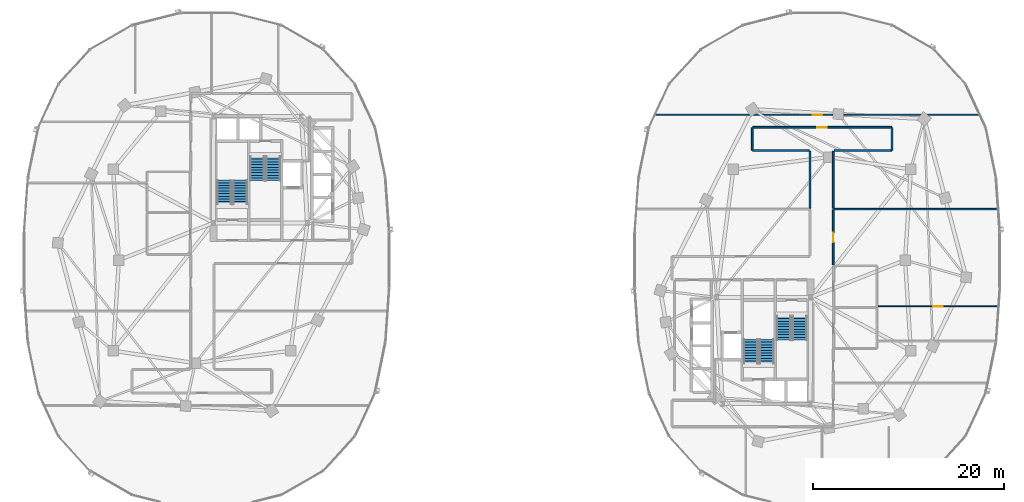
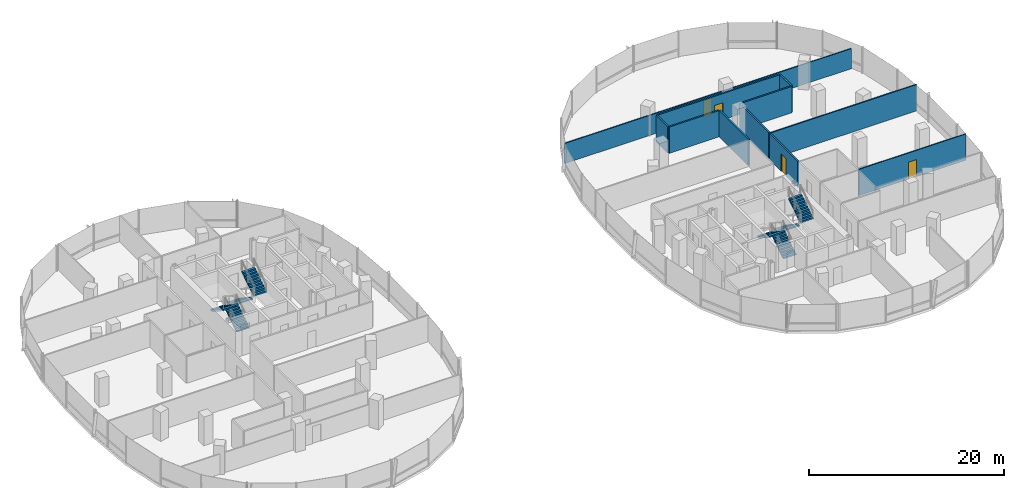
# One storey, part 14 of 21: 11 walls, 8 stair flights, 4 doors, 4 openings, 4 elements without a shape of their own.
"""IFC4 building model written with IfcOpenShell, lengths in metres."""

from ifc_helpers import new_model, si_unit, direction, frame, frame_2d, origin, place, context, subcontext, project, spatial, polyline, rectangle, outline, extrude, material, layer, layer_set, type_object, element, fill, aggregate, save


model = new_model("IFC4")

# Units and contexts
model_context = context("Model", 3, precision=1e-05, world=origin(), true_north=direction((0.0, 1.0)))
body_context = subcontext(model_context, "Body", "Model", "MODEL_VIEW")
ifc_project = project(units=[si_unit("LENGTHUNIT", "METRE"), si_unit("AREAUNIT", "SQUARE_METRE"), si_unit("VOLUMEUNIT", "CUBIC_METRE"), si_unit("PLANEANGLEUNIT", "RADIAN"), si_unit("MASSUNIT", "GRAM", prefix="KILO"), si_unit("THERMODYNAMICTEMPERATUREUNIT", "KELVIN"), si_unit("POWERUNIT", "WATT")], contexts=[model_context])

# Site, building, storey
site_placement = place(None, origin())
site = spatial("IfcSite", under=ifc_project, at=site_placement, CompositionType="ELEMENT")
building_placement = place(site_placement, origin())
building = spatial("IfcBuilding", under=site, at=building_placement, Name="Cundina Bronze Exchange", CompositionType="ELEMENT")
storey_placement = place(building_placement, frame((0.0, 0.0, 121.39990234375)))
storey = spatial("IfcBuildingStorey", under=building, at=storey_placement, Name="L31", CompositionType="ELEMENT", Elevation=121.39990234375)

# Wall, opening, door
ifc_material_1 = material(Name="Gypsum Fireboard Partition EI120")
ifc_layer_1 = layer(ifc_material_1, 0.179931640625, Name="Gypsum Fireboard Partition EI120")
ifc_layer_set_1 = layer_set([ifc_layer_1], Name="Gypsum Fireboard Partition EI120")
wall_type_1 = type_object("IfcWallType", Name="WL-COR-180", PredefinedType="PARTITIONING", material=ifc_layer_set_1)
wall_1_placement = place(storey_placement, frame((33.669921875, -0.508544921875, 0.0), z_axis=(0.0, 0.0, 1.0), x_axis=(0.0, 1.0, 0.0)))
wall_1 = element("IfcWall", 1, at=wall_1_placement, inside=storey, type_object=wall_type_1, Name="L31 Interior Partition 070", PredefinedType="PARTITIONING", context=body_context, shape_type="SweptSolid", body=[
    extrude(rectangle(XDim=5.7685546875, YDim=0.179931640625, at=frame_2d((2.88427734375, 0.0))), origin(), (0.0, 0.0, 1.0), 3.300048828125),
])
opening_1_placement = place(wall_1_placement, frame((2.38427734375, 0.0, 0.0)))
opening_1 = element("IfcOpeningElement", 2, at=opening_1_placement, cuts=wall_1, Name="Opening DO-01", PredefinedType="OPENING", context=body_context, shape_type="SweptSolid", body=[
    extrude(rectangle(XDim=1.0, YDim=2.14990234375, at=frame_2d((0.5, 1.074951171875))), frame((0.0, 0.099853515625, 0.0), z_axis=(0.0, -1.0, 0.0), x_axis=(1.0, 0.0, 0.0)), (0.0, 0.0, 1.0), 0.199951171875),
])
ifc_material_2 = material(Name="Solid Andean Oak Timber Grade A", Category="wood")
door_type = type_object("IfcDoorType", Name="DR-OFF-1000", OperationType="NOTDEFINED", PredefinedType="DOOR", material=ifc_material_2)
door_1_placement = place(opening_1_placement, origin())
door_1 = element("IfcDoor", 3, at=door_1_placement, inside=storey, type_object=door_type, Name="L31 Interior Door 070", OperationType="SINGLE_SWING_RIGHT", OverallHeight=2.14990234375, OverallWidth=1.0, PredefinedType="DOOR", context=body_context, shape_type="SweptSolid", body=[
    extrude(rectangle(XDim=1.0, YDim=2.14990234375, at=frame_2d((0.5, 1.074951171875))), frame((0.0, 0.02490234375, 0.0), z_axis=(0.0, -1.0, 0.0), x_axis=(1.0, 0.0, 0.0)), (0.0, 0.0, 1.0), 0.050048828125),
])
fill(opening_1, door_1)

wall_2_placement = place(storey_placement, frame((39.778564453125, 13.919921875, 0.0), z_axis=(0.0, 0.0, 1.0), x_axis=(-1.0, 0.0, 0.0)))
wall_2 = element("IfcWall", 4, at=wall_2_placement, inside=storey, type_object=wall_type_1, Name="L31 Interior Partition 071", PredefinedType="PARTITIONING", context=body_context, shape_type="SweptSolid", body=[
    extrude(rectangle(XDim=14.55712890625, YDim=0.179931640625, at=frame_2d((7.278564453125, 0.0))), origin(), (0.0, 0.0, 1.0), 3.300048828125),
])
opening_2_placement = place(wall_2_placement, frame((6.778564453125, 0.0, 0.0)))
opening_2 = element("IfcOpeningElement", 5, at=opening_2_placement, cuts=wall_2, Name="Opening DO-01", PredefinedType="OPENING", context=body_context, shape_type="SweptSolid", body=[
    extrude(rectangle(XDim=1.0, YDim=2.14990234375, at=frame_2d((0.5, 1.074951171875))), frame((0.0, 0.099853515625, 0.0), z_axis=(0.0, -1.0, 0.0), x_axis=(1.0, 0.0, 0.0)), (0.0, 0.0, 1.0), 0.199951171875),
])
door_2_placement = place(opening_2_placement, origin())
door_2 = element("IfcDoor", 6, at=door_2_placement, inside=storey, type_object=door_type, Name="L31 Interior Door 071", OperationType="SINGLE_SWING_LEFT", OverallHeight=2.14990234375, OverallWidth=1.0, PredefinedType="DOOR", context=body_context, shape_type="SweptSolid", body=[
    extrude(rectangle(XDim=1.0, YDim=2.14990234375, at=frame_2d((0.5, 1.074951171875))), frame((0.0, 0.02490234375, 0.0), z_axis=(0.0, -1.0, 0.0), x_axis=(1.0, 0.0, 0.0)), (0.0, 0.0, 1.0), 0.050048828125),
])
fill(opening_2, door_2)

# Walls
wall_3_placement = place(storey_placement, frame((33.75, 11.47998046875, 0.0), z_axis=(0.0, 0.0, 1.0), x_axis=(1.0, 0.0, 0.0)))
element("IfcWall", 7, at=wall_3_placement, inside=storey, type_object=wall_type_1, Name="L31 Interior Partition 072", PredefinedType="PARTITIONING", context=body_context, shape_type="SweptSolid", body=[
    extrude(rectangle(XDim=6.028564453125, YDim=0.179931640625, at=frame_2d((3.01416015625, 0.0))), origin(), (0.0, 0.0, 1.0), 3.300048828125),
])
for number, where, z_axis, x_axis, name in (
    (8, (33.669921875, 5.43994140625, 0.0), (0.0, 0.0, 1.0), (0.0, 1.0, 0.0), "L31 Interior Partition 073"),
    (9, (31.22998046875, 11.39990234375, 0.0), (0.0, 0.0, 1.0), (0.0, -1.0, 0.0), "L31 Interior Partition 074"),
):
    element("IfcWall", number, at=place(storey_placement, frame(where, z_axis=z_axis, x_axis=x_axis)), inside=storey, type_object=wall_type_1, Name=name, PredefinedType="PARTITIONING", context=body_context, shape_type="SweptSolid", body=[
        extrude(rectangle(XDim=5.9599609375, YDim=0.179931640625, at=frame_2d((2.97998046875, 0.0))), origin(), (0.0, 0.0, 1.0), 3.300048828125),
    ])
wall_4_placement = place(storey_placement, frame((25.221435546875, 11.47998046875, 0.0), z_axis=(0.0, 0.0, 1.0), x_axis=(1.0, 0.0, 0.0)))
element("IfcWall", 10, at=wall_4_placement, inside=storey, type_object=wall_type_1, Name="L31 Interior Partition 075", PredefinedType="PARTITIONING", context=body_context, shape_type="SweptSolid", body=[
    extrude(rectangle(XDim=5.928466796875, YDim=0.179931640625, at=frame_2d((2.96435546875, 0.0))), origin(), (0.0, 0.0, 1.0), 3.300048828125),
])
for number, where, z_axis, x_axis, name in (
    (11, (39.820068359375, 11.521484375, 0.0), (0.0, 0.0, 1.0), (0.0, 1.0, 0.0), "L31 Interior Partition 076"),
    (12, (25.179931640625, 13.87841796875, 0.0), (0.0, 0.0, 1.0), (0.0, -1.0, 0.0), "L31 Interior Partition 077"),
):
    element("IfcWall", number, at=place(storey_placement, frame(where, z_axis=z_axis, x_axis=x_axis)), inside=storey, type_object=wall_type_1, Name=name, PredefinedType="PARTITIONING", context=body_context, shape_type="SweptSolid", body=[
        extrude(rectangle(XDim=2.35693359375, YDim=0.179931640625, at=frame_2d((1.178466796875, 0.0))), origin(), (0.0, 0.0, 1.0), 3.300048828125),
    ])

# Wall, opening, door
ifc_material_3 = material(Name="Gypsum Acoustic Partition EI60")
ifc_layer_2 = layer(ifc_material_3, 0.125, Name="Gypsum Acoustic Partition EI60")
ifc_layer_set_2 = layer_set([ifc_layer_2], Name="Gypsum Acoustic Partition EI60")
wall_type_2 = type_object("IfcWallType", Name="WL-OFF-125", PredefinedType="PARTITIONING", material=ifc_layer_set_2)
wall_5_placement = place(storey_placement, frame((38.29150390625, -4.85009765625, 0.0), z_axis=(0.0, 0.0, 1.0), x_axis=(1.0, 0.0, 0.0)))
wall_5 = element("IfcWall", 13, at=wall_5_placement, inside=storey, type_object=wall_type_2, Name="L31 Interior Partition 078", PredefinedType="PARTITIONING", context=body_context, shape_type="SweptSolid", body=[
    extrude(rectangle(XDim=12.722900390625, YDim=0.125, at=frame_2d((6.361328125, 0.0))), origin(), (0.0, 0.0, 1.0), 3.300048828125),
])
opening_3_placement = place(wall_5_placement, frame((5.861328125, 0.0, 0.0)))
opening_3 = element("IfcOpeningElement", 14, at=opening_3_placement, cuts=wall_5, Name="Opening DO-01", PredefinedType="OPENING", context=body_context, shape_type="SweptSolid", body=[
    extrude(rectangle(XDim=1.0, YDim=2.14990234375, at=frame_2d((0.5, 1.074951171875))), frame((0.0, 0.072509765625, 0.0), z_axis=(0.0, -1.0, 0.0), x_axis=(1.0, 0.0, 0.0)), (0.0, 0.0, 1.0), 0.14501953125),
])
door_3_placement = place(opening_3_placement, origin())
door_3 = element("IfcDoor", 15, at=door_3_placement, inside=storey, type_object=door_type, Name="L31 Interior Door 078", OperationType="SINGLE_SWING_RIGHT", OverallHeight=2.14990234375, OverallWidth=1.0, PredefinedType="DOOR", context=body_context, shape_type="SweptSolid", body=[
    extrude(rectangle(XDim=1.0, YDim=2.14990234375, at=frame_2d((0.5, 1.074951171875))), frame((0.0, 0.02490234375, 0.0), z_axis=(0.0, -1.0, 0.0), x_axis=(1.0, 0.0, 0.0)), (0.0, 0.0, 1.0), 0.050048828125),
])
fill(opening_3, door_3)

wall_6_placement = place(storey_placement, frame((49.005126953125, 15.22998046875, 0.0), z_axis=(0.0, 0.0, 1.0), x_axis=(-1.0, 0.0, 0.0)))
wall_6 = element("IfcWall", 16, at=wall_6_placement, inside=storey, type_object=wall_type_2, Name="L31 Interior Partition 079", PredefinedType="PARTITIONING", context=body_context, shape_type="SweptSolid", body=[
    extrude(rectangle(XDim=34.01025390625, YDim=0.125, at=frame_2d((17.005126953125, 0.0))), origin(), (0.0, 0.0, 1.0), 2.527099609375),
])
opening_4_placement = place(wall_6_placement, frame((16.505126953125, 0.0, 0.0)))
opening_4 = element("IfcOpeningElement", 17, at=opening_4_placement, cuts=wall_6, Name="Opening DO-01", PredefinedType="OPENING", context=body_context, shape_type="SweptSolid", body=[
    extrude(rectangle(XDim=1.0, YDim=2.14990234375, at=frame_2d((0.5, 1.074951171875))), frame((0.0, 0.072509765625, 0.0), z_axis=(0.0, -1.0, 0.0), x_axis=(1.0, 0.0, 0.0)), (0.0, 0.0, 1.0), 0.14501953125),
])
door_4_placement = place(opening_4_placement, origin())
door_4 = element("IfcDoor", 18, at=door_4_placement, inside=storey, type_object=door_type, Name="L31 Interior Door 079", OperationType="SINGLE_SWING_LEFT", OverallHeight=2.14990234375, OverallWidth=1.0, PredefinedType="DOOR", context=body_context, shape_type="SweptSolid", body=[
    extrude(rectangle(XDim=1.0, YDim=2.14990234375, at=frame_2d((0.5, 1.074951171875))), frame((0.0, 0.02490234375, 0.0), z_axis=(0.0, -1.0, 0.0), x_axis=(1.0, 0.0, 0.0)), (0.0, 0.0, 1.0), 0.050048828125),
])
fill(opening_4, door_4)

# Wall
ifc_layer_3 = layer(ifc_material_3, 0.14990234375, Name="Gypsum Acoustic Partition EI60")
ifc_layer_set_3 = layer_set([ifc_layer_3], Name="Gypsum Acoustic Partition EI60")
wall_type_3 = type_object("IfcWallType", Name="WL-TEN-150", PredefinedType="PARTITIONING", material=ifc_layer_set_3)
wall_7_placement = place(storey_placement, frame((33.699951171875, 5.35009765625, 0.0), z_axis=(0.0, 0.0, 1.0), x_axis=(1.0, 0.0, 0.0)))
element("IfcWall", 19, at=wall_7_placement, inside=storey, type_object=wall_type_3, Name="L31 Interior Partition 054", PredefinedType="PARTITIONING", context=body_context, shape_type="SweptSolid", body=[
    extrude(rectangle(XDim=17.337646484375, YDim=0.14990234375, at=frame_2d((8.6689453125, 0.0))), origin(), (0.0, 0.0, 1.0), 3.300048828125),
])

# Stair, stair flights
ifc_material_4 = material(Name="Concrete C40/50", Category="concrete")
stair_type = type_object("IfcStairType", Name="STR-OFF-360", PredefinedType="HALF_TURN_STAIR", material=ifc_material_4)
stair_1_placement = place(storey_placement, origin())
stair_1 = element("IfcStair", 20, at=stair_1_placement, inside=storey, type_object=stair_type, Name="L31 Smokeproof Exit Stair W1", PredefinedType="HALF_TURN_STAIR")
stair_flight_type = type_object("IfcStairFlightType", Name="FLG-OFF-180", PredefinedType="STRAIGHT", material=ifc_material_4)
stair_flight_1_placement = place(storey_placement, frame((-28.489990234375, 5.85009765625, 0.0), z_axis=(0.0, 0.0, 1.0), x_axis=(0.0, 1.0, 0.0)))
stair_flight_1 = element("IfcStairFlight", 21, at=stair_flight_1_placement, type_object=stair_flight_type, Name="ST-W1 flight 1", NumberOfRisers=10, NumberOfTreads=9, PredefinedType="STRAIGHT", RiserHeight=0.18, TreadLength=0.28, context=body_context, shape_type="SweptSolid", body=[
    extrude(outline(polyline([(0.0, 0.0), (0.0, 0.179931640625), (0.280029296875, 0.179931640625), (0.280029296875, 0.360107421875), (0.56005859375, 0.360107421875), (0.56005859375, 0.5400390625), (0.840087890625, 0.5400390625), (0.840087890625, 0.719970703125), (1.1201171875, 0.719970703125), (1.1201171875, 0.89990234375), (1.39990234375, 0.89990234375), (1.39990234375, 1.080078125), (1.679931640625, 1.080078125), (1.679931640625, 1.260009765625), (1.9599609375, 1.260009765625), (1.9599609375, 1.43994140625), (2.239990234375, 1.43994140625), (2.239990234375, 1.6201171875), (2.52001953125, 1.6201171875), (2.52001953125, 1.800048828125), (2.52001953125, 1.44189453125), (0.277099609375, 0.0), (0.0, 0.0)])), frame((0.0, 0.75, 0.0), z_axis=(0.0, -1.0, 0.0), x_axis=(1.0, 0.0, 0.0)), (0.0, 0.0, 1.0), 1.5),
])
stair_flight_2_placement = place(storey_placement, frame((-30.14990234375, 8.3701171875, 1.800048828125), z_axis=(0.0, 0.0, 1.0), x_axis=(0.0, -1.0, 0.0)))
stair_flight_2 = element("IfcStairFlight", 22, at=stair_flight_2_placement, type_object=stair_flight_type, Name="ST-W1 flight 2", NumberOfRisers=10, NumberOfTreads=9, PredefinedType="STRAIGHT", RiserHeight=0.18, TreadLength=0.28, context=body_context, shape_type="SweptSolid", body=[
    extrude(outline(polyline([(0.0, 0.0), (0.0, 0.179931640625), (0.280029296875, 0.179931640625), (0.280029296875, 0.360107421875), (0.56005859375, 0.360107421875), (0.56005859375, 0.5400390625), (0.840087890625, 0.5400390625), (0.840087890625, 0.719970703125), (1.1201171875, 0.719970703125), (1.1201171875, 0.89990234375), (1.39990234375, 0.89990234375), (1.39990234375, 1.080078125), (1.679931640625, 1.080078125), (1.679931640625, 1.260009765625), (1.9599609375, 1.260009765625), (1.9599609375, 1.43994140625), (2.239990234375, 1.43994140625), (2.239990234375, 1.6201171875), (2.52001953125, 1.6201171875), (2.52001953125, 1.800048828125), (2.52001953125, 1.44189453125), (0.277099609375, 0.0), (0.0, 0.0)])), frame((0.0, 0.75, 0.0), z_axis=(0.0, -1.0, 0.0), x_axis=(1.0, 0.0, 0.0)), (0.0, 0.0, 1.0), 1.5),
])
aggregate(stair_1, [stair_flight_1, stair_flight_2])

stair_2_placement = place(storey_placement, origin())
stair_2 = element("IfcStair", 23, at=stair_2_placement, inside=storey, type_object=stair_type, Name="L31 Smokeproof Exit Stair W2", PredefinedType="HALF_TURN_STAIR")
stair_flight_3_placement = place(storey_placement, frame((-26.68994140625, 10.85009765625, 0.0), z_axis=(0.0, 0.0, 1.0), x_axis=(0.0, -1.0, 0.0)))
stair_flight_3 = element("IfcStairFlight", 24, at=stair_flight_3_placement, type_object=stair_flight_type, Name="ST-W2 flight 1", NumberOfRisers=10, NumberOfTreads=9, PredefinedType="STRAIGHT", RiserHeight=0.18, TreadLength=0.28, context=body_context, shape_type="SweptSolid", body=[
    extrude(outline(polyline([(0.0, 0.0), (0.0, 0.179931640625), (0.280029296875, 0.179931640625), (0.280029296875, 0.360107421875), (0.56005859375, 0.360107421875), (0.56005859375, 0.5400390625), (0.840087890625, 0.5400390625), (0.840087890625, 0.719970703125), (1.1201171875, 0.719970703125), (1.1201171875, 0.89990234375), (1.39990234375, 0.89990234375), (1.39990234375, 1.080078125), (1.679931640625, 1.080078125), (1.679931640625, 1.260009765625), (1.9599609375, 1.260009765625), (1.9599609375, 1.43994140625), (2.239990234375, 1.43994140625), (2.239990234375, 1.6201171875), (2.52001953125, 1.6201171875), (2.52001953125, 1.800048828125), (2.52001953125, 1.44189453125), (0.277099609375, 0.0), (0.0, 0.0)])), frame((0.0, 0.75, 0.0), z_axis=(0.0, -1.0, 0.0), x_axis=(1.0, 0.0, 0.0)), (0.0, 0.0, 1.0), 1.5),
])
stair_flight_4_placement = place(storey_placement, frame((-25.030029296875, 8.330078125, 1.800048828125), z_axis=(0.0, 0.0, 1.0), x_axis=(0.0, 1.0, 0.0)))
stair_flight_4 = element("IfcStairFlight", 25, at=stair_flight_4_placement, type_object=stair_flight_type, Name="ST-W2 flight 2", NumberOfRisers=10, NumberOfTreads=9, PredefinedType="STRAIGHT", RiserHeight=0.18, TreadLength=0.28, context=body_context, shape_type="SweptSolid", body=[
    extrude(outline(polyline([(0.0, 0.0), (0.0, 0.179931640625), (0.280029296875, 0.179931640625), (0.280029296875, 0.360107421875), (0.56005859375, 0.360107421875), (0.56005859375, 0.5400390625), (0.840087890625, 0.5400390625), (0.840087890625, 0.719970703125), (1.1201171875, 0.719970703125), (1.1201171875, 0.89990234375), (1.39990234375, 0.89990234375), (1.39990234375, 1.080078125), (1.679931640625, 1.080078125), (1.679931640625, 1.260009765625), (1.9599609375, 1.260009765625), (1.9599609375, 1.43994140625), (2.239990234375, 1.43994140625), (2.239990234375, 1.6201171875), (2.52001953125, 1.6201171875), (2.52001953125, 1.800048828125), (2.52001953125, 1.44189453125), (0.277099609375, 0.0), (0.0, 0.0)])), frame((0.0, 0.75, 0.0), z_axis=(0.0, -1.0, 0.0), x_axis=(1.0, 0.0, 0.0)), (0.0, 0.0, 1.0), 1.5),
])
aggregate(stair_2, [stair_flight_3, stair_flight_4])

stair_3_placement = place(storey_placement, origin())
stair_3 = element("IfcStair", 26, at=stair_3_placement, inside=storey, type_object=stair_type, Name="L31 Smokeproof Exit Stair E1", PredefinedType="HALF_TURN_STAIR")
stair_flight_5_placement = place(storey_placement, frame((28.489990234375, -5.85009765625, 0.0), z_axis=(0.0, 0.0, 1.0), x_axis=(0.0, -1.0, 0.0)))
stair_flight_5 = element("IfcStairFlight", 27, at=stair_flight_5_placement, type_object=stair_flight_type, Name="ST-E1 flight 1", NumberOfRisers=10, NumberOfTreads=9, PredefinedType="STRAIGHT", RiserHeight=0.18, TreadLength=0.28, context=body_context, shape_type="SweptSolid", body=[
    extrude(outline(polyline([(0.0, 0.0), (0.0, 0.179931640625), (0.280029296875, 0.179931640625), (0.280029296875, 0.360107421875), (0.56005859375, 0.360107421875), (0.56005859375, 0.5400390625), (0.840087890625, 0.5400390625), (0.840087890625, 0.719970703125), (1.1201171875, 0.719970703125), (1.1201171875, 0.89990234375), (1.39990234375, 0.89990234375), (1.39990234375, 1.080078125), (1.679931640625, 1.080078125), (1.679931640625, 1.260009765625), (1.9599609375, 1.260009765625), (1.9599609375, 1.43994140625), (2.239990234375, 1.43994140625), (2.239990234375, 1.6201171875), (2.52001953125, 1.6201171875), (2.52001953125, 1.800048828125), (2.52001953125, 1.44189453125), (0.277099609375, 0.0), (0.0, 0.0)])), frame((0.0, 0.75, 0.0), z_axis=(0.0, -1.0, 0.0), x_axis=(1.0, 0.0, 0.0)), (0.0, 0.0, 1.0), 1.5),
])
stair_flight_6_placement = place(storey_placement, frame((30.14990234375, -8.3701171875, 1.800048828125), z_axis=(0.0, 0.0, 1.0), x_axis=(0.0, 1.0, 0.0)))
stair_flight_6 = element("IfcStairFlight", 28, at=stair_flight_6_placement, type_object=stair_flight_type, Name="ST-E1 flight 2", NumberOfRisers=10, NumberOfTreads=9, PredefinedType="STRAIGHT", RiserHeight=0.18, TreadLength=0.28, context=body_context, shape_type="SweptSolid", body=[
    extrude(outline(polyline([(0.0, 0.0), (0.0, 0.179931640625), (0.280029296875, 0.179931640625), (0.280029296875, 0.360107421875), (0.56005859375, 0.360107421875), (0.56005859375, 0.5400390625), (0.840087890625, 0.5400390625), (0.840087890625, 0.719970703125), (1.1201171875, 0.719970703125), (1.1201171875, 0.89990234375), (1.39990234375, 0.89990234375), (1.39990234375, 1.080078125), (1.679931640625, 1.080078125), (1.679931640625, 1.260009765625), (1.9599609375, 1.260009765625), (1.9599609375, 1.43994140625), (2.239990234375, 1.43994140625), (2.239990234375, 1.6201171875), (2.52001953125, 1.6201171875), (2.52001953125, 1.800048828125), (2.52001953125, 1.44189453125), (0.277099609375, 0.0), (0.0, 0.0)])), frame((0.0, 0.75, 0.0), z_axis=(0.0, -1.0, 0.0), x_axis=(1.0, 0.0, 0.0)), (0.0, 0.0, 1.0), 1.5),
])
aggregate(stair_3, [stair_flight_5, stair_flight_6])

stair_4_placement = place(storey_placement, origin())
stair_4 = element("IfcStair", 29, at=stair_4_placement, inside=storey, type_object=stair_type, Name="L31 Smokeproof Exit Stair E2", PredefinedType="HALF_TURN_STAIR")
stair_flight_7_placement = place(storey_placement, frame((26.68994140625, -10.85009765625, 0.0), z_axis=(0.0, 0.0, 1.0), x_axis=(0.0, 1.0, 0.0)))
stair_flight_7 = element("IfcStairFlight", 30, at=stair_flight_7_placement, type_object=stair_flight_type, Name="ST-E2 flight 1", NumberOfRisers=10, NumberOfTreads=9, PredefinedType="STRAIGHT", RiserHeight=0.18, TreadLength=0.28, context=body_context, shape_type="SweptSolid", body=[
    extrude(outline(polyline([(0.0, 0.0), (0.0, 0.179931640625), (0.280029296875, 0.179931640625), (0.280029296875, 0.360107421875), (0.56005859375, 0.360107421875), (0.56005859375, 0.5400390625), (0.840087890625, 0.5400390625), (0.840087890625, 0.719970703125), (1.1201171875, 0.719970703125), (1.1201171875, 0.89990234375), (1.39990234375, 0.89990234375), (1.39990234375, 1.080078125), (1.679931640625, 1.080078125), (1.679931640625, 1.260009765625), (1.9599609375, 1.260009765625), (1.9599609375, 1.43994140625), (2.239990234375, 1.43994140625), (2.239990234375, 1.6201171875), (2.52001953125, 1.6201171875), (2.52001953125, 1.800048828125), (2.52001953125, 1.44189453125), (0.277099609375, 0.0), (0.0, 0.0)])), frame((0.0, 0.75, 0.0), z_axis=(0.0, -1.0, 0.0), x_axis=(1.0, 0.0, 0.0)), (0.0, 0.0, 1.0), 1.5),
])
stair_flight_8_placement = place(storey_placement, frame((25.030029296875, -8.330078125, 1.800048828125), z_axis=(0.0, 0.0, 1.0), x_axis=(0.0, -1.0, 0.0)))
stair_flight_8 = element("IfcStairFlight", 31, at=stair_flight_8_placement, type_object=stair_flight_type, Name="ST-E2 flight 2", NumberOfRisers=10, NumberOfTreads=9, PredefinedType="STRAIGHT", RiserHeight=0.18, TreadLength=0.28, context=body_context, shape_type="SweptSolid", body=[
    extrude(outline(polyline([(0.0, 0.0), (0.0, 0.179931640625), (0.280029296875, 0.179931640625), (0.280029296875, 0.360107421875), (0.56005859375, 0.360107421875), (0.56005859375, 0.5400390625), (0.840087890625, 0.5400390625), (0.840087890625, 0.719970703125), (1.1201171875, 0.719970703125), (1.1201171875, 0.89990234375), (1.39990234375, 0.89990234375), (1.39990234375, 1.080078125), (1.679931640625, 1.080078125), (1.679931640625, 1.260009765625), (1.9599609375, 1.260009765625), (1.9599609375, 1.43994140625), (2.239990234375, 1.43994140625), (2.239990234375, 1.6201171875), (2.52001953125, 1.6201171875), (2.52001953125, 1.800048828125), (2.52001953125, 1.44189453125), (0.277099609375, 0.0), (0.0, 0.0)])), frame((0.0, 0.75, 0.0), z_axis=(0.0, -1.0, 0.0), x_axis=(1.0, 0.0, 0.0)), (0.0, 0.0, 1.0), 1.5),
])
aggregate(stair_4, [stair_flight_7, stair_flight_8])

save(model, "model.ifc")
